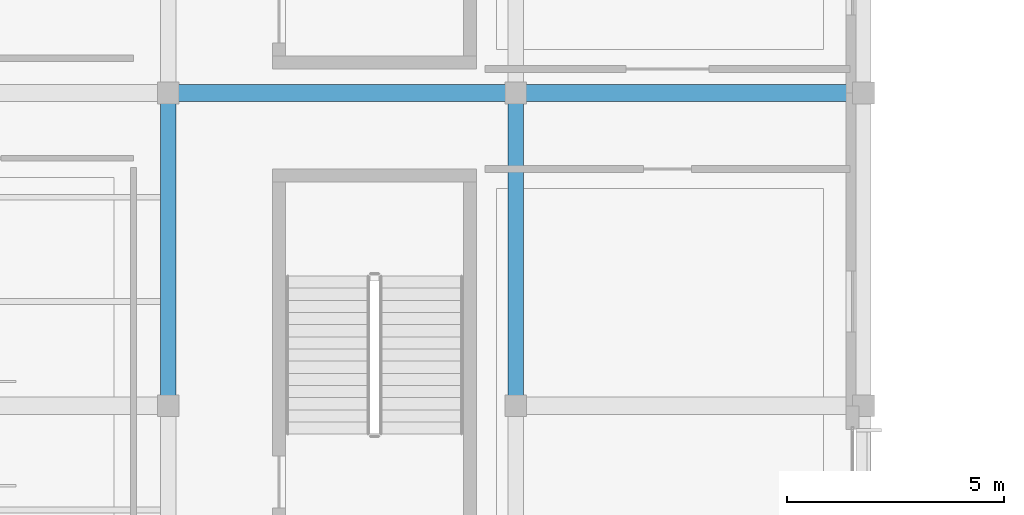
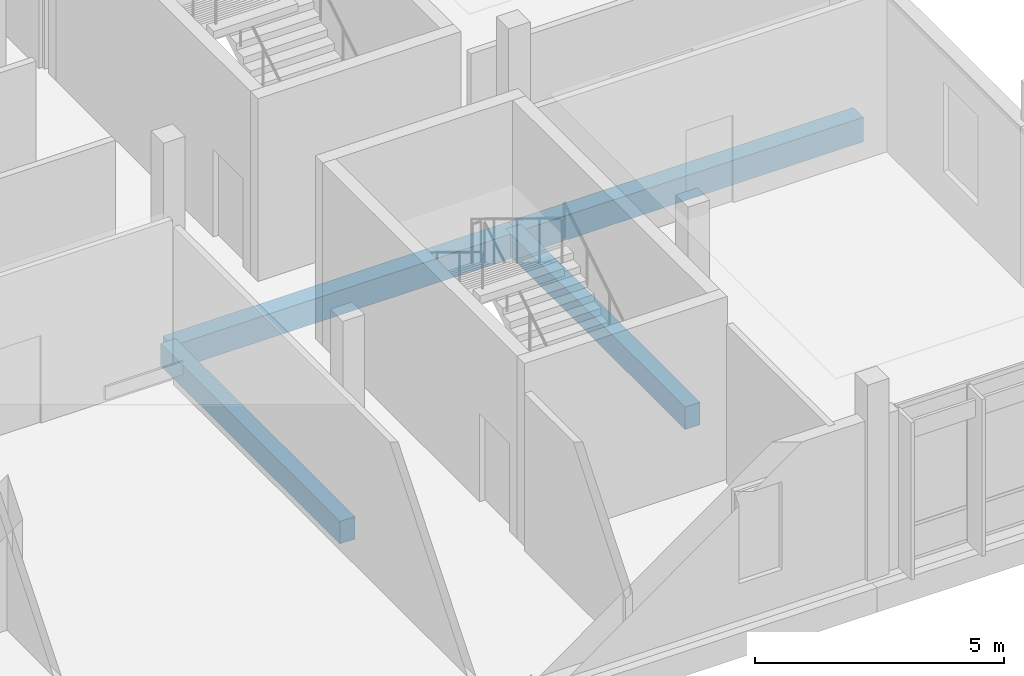
# One storey, part 23 of 177: 4 beams.
"""IFC4 building model written with IfcOpenShell, lengths in metres."""

from ifc_helpers import new_model, si_unit, direction, frame, origin, origin_2d, place, context, subcontext, project, spatial, rectangle, extrude, material, material_profile, profile_set, type_object, element, save


model = new_model("IFC4")

# Units and contexts
model_context = context("Model", 3, precision=1e-05, world=origin(), true_north=direction((0.0, 1.0)))
body_context = subcontext(model_context, "Body", "Model", "MODEL_VIEW")
ifc_project = project(units=[si_unit("LENGTHUNIT", "METRE"), si_unit("AREAUNIT", "SQUARE_METRE"), si_unit("VOLUMEUNIT", "CUBIC_METRE"), si_unit("PLANEANGLEUNIT", "RADIAN"), si_unit("MASSUNIT", "GRAM", prefix="KILO")], contexts=[model_context])

# Site, building, storey
site_placement = place(None, origin())
site = spatial("IfcSite", under=ifc_project, at=site_placement, CompositionType="ELEMENT")
building_placement = place(site_placement, origin())
building = spatial("IfcBuilding", under=site, at=building_placement, Name="Chiffa Square Polytechnic", CompositionType="ELEMENT")
storey_placement = place(building_placement, frame((0.0, 0.0, 4.800048828125)))
storey = spatial("IfcBuildingStorey", under=building, at=storey_placement, Name="L01", CompositionType="ELEMENT", Elevation=4.800048828125)

# Beams
ifc_material = material(Name="Concrete C35/45", Category="concrete")
ifc_material_profile_1 = material_profile(ifc_material, rectangle(XDim=0.35009765625, YDim=0.550048828125, at=origin_2d()), Name="RC 350x550")
ifc_profile_set_1 = profile_set([ifc_material_profile_1], Name="Concrete C35/45")
beam_type_1 = type_object("IfcBeamType", Name="BM-RC-350X550", PredefinedType="BEAM", material=ifc_profile_set_1)
for number, where, z_axis, x_axis, name in (
    (1, (32.0, 7.199951171875, -0.554931640625), (0.0, 1.0, 0.0), (-1.0, 0.0, 0.0), "Primary floor girder BM-V3-L01-Y-0320-0072"),
    (2, (40.0, 7.199951171875, -0.554931640625), (0.0, 1.0, 0.0), (-1.0, 0.0, 0.0), "Primary floor girder BM-V3-L01-Y-0400-0072"),
):
    element("IfcBeam", number, at=place(storey_placement, frame(where, z_axis=z_axis, x_axis=x_axis)), inside=storey, type_object=beam_type_1, Name=name, PredefinedType="BEAM", context=body_context, shape_type="SweptSolid", body=[
        extrude(rectangle(XDim=0.35009765625, YDim=0.550048828125, at=origin_2d()), origin(), (0.0, 0.0, 1.0), 7.199951171875),
    ])
ifc_material_profile_2 = material_profile(ifc_material, rectangle(XDim=0.39990234375, YDim=0.60009765625, at=origin_2d()), Name="RC 400x600")
ifc_profile_set_2 = profile_set([ifc_material_profile_2], Name="Concrete C35/45")
beam_type_2 = type_object("IfcBeamType", Name="BM-RC-400X600", PredefinedType="BEAM", material=ifc_profile_set_2)
for number, where, z_axis, x_axis, name in (
    (3, (32.0, 14.39990234375, -0.580078125), (1.0, 0.0, 0.0), (0.0, 1.0, 0.0), "Primary floor girder BM-V3-L01-X-0320-0144"),
    (4, (40.0, 14.39990234375, -0.580078125), (1.0, 0.0, 0.0), (0.0, 1.0, 0.0), "Primary floor girder BM-V3-L01-X-0400-0144"),
):
    element("IfcBeam", number, at=place(storey_placement, frame(where, z_axis=z_axis, x_axis=x_axis)), inside=storey, type_object=beam_type_2, Name=name, PredefinedType="BEAM", context=body_context, shape_type="SweptSolid", body=[
        extrude(rectangle(XDim=0.39990234375, YDim=0.60009765625, at=origin_2d()), origin(), (0.0, 0.0, 1.0), 8.0),
    ])

save(model, "model.ifc")
